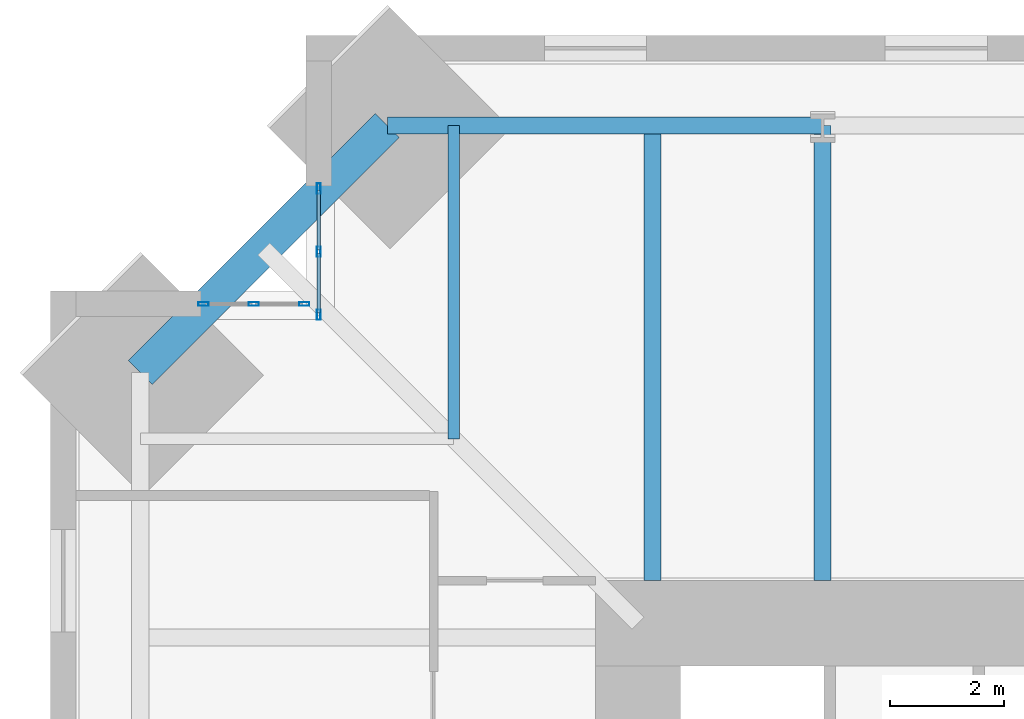
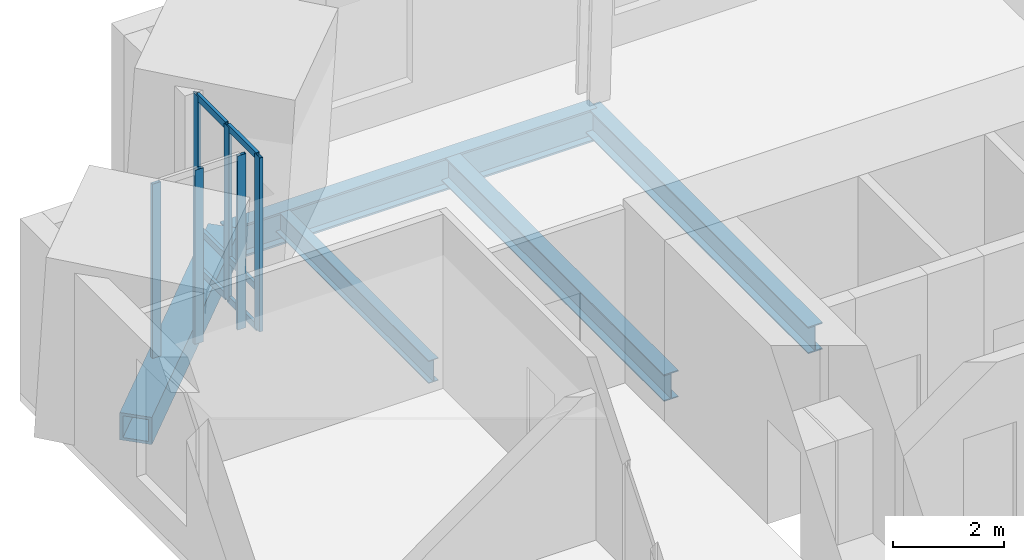
# One storey, part 6 of 16: 12 members, 5 beams, 2 elements without a shape of their own.
"""IFC4 building model written with IfcOpenShell, lengths in metres."""

from ifc_helpers import new_model, si_unit, direction, frame, origin, origin_2d, place, context, subcontext, project, spatial, hollow_rectangle, i_section, extrude, material, material_profile, profile_set, type_object, element, aggregate, save


model = new_model("IFC4")

# Units and contexts
model_context = context("Model", 3, precision=1e-05, world=origin(), true_north=direction((0.0, 1.0)))
body_context = subcontext(model_context, "Body", "Model", "MODEL_VIEW")
ifc_project = project(units=[si_unit("LENGTHUNIT", "METRE"), si_unit("AREAUNIT", "SQUARE_METRE"), si_unit("VOLUMEUNIT", "CUBIC_METRE"), si_unit("PLANEANGLEUNIT", "RADIAN"), si_unit("MASSUNIT", "GRAM", prefix="KILO")], contexts=[model_context])

# Site, building, storey
site_placement = place(None, origin())
site = spatial("IfcSite", under=ifc_project, at=site_placement, CompositionType="ELEMENT")
building_placement = place(site_placement, origin())
building = spatial("IfcBuilding", under=site, at=building_placement, Name="Peilmerk Tower", CompositionType="ELEMENT")
storey_placement = place(building_placement, frame((0.0, 0.0, 269.800048828125)))
storey = spatial("IfcBuildingStorey", under=building, at=storey_placement, Name="L60", CompositionType="ELEMENT", Elevation=269.800048828125)

# Beams
ifc_material_1 = material(Name="Steel S460", Category="steel")
ifc_material_profile_1 = material_profile(ifc_material_1, hollow_rectangle(XDim=0.60009765625, YDim=0.60009765625, WallThickness=0.06005859375, at=origin_2d()), Name="BOX 600x600x60")
ifc_profile_set_1 = profile_set([ifc_material_profile_1], Name="Steel S460")
beam_type_1 = type_object("IfcBeamType", Name="B20 BOX 600x600x60 notch beam", PredefinedType="SPANDREL", material=ifc_profile_set_1)
beam_1_placement = place(storey_placement, frame((-20.017822265625, 15.667724609375, -0.469970703125), z_axis=(0.707106781187, 0.707106781187, 0.0), x_axis=(-0.707106781187, 0.707106781187, 0.0)))
element("IfcBeam", 1, at=beam_1_placement, inside=storey, type_object=beam_type_1, Name="Notch beam L60", PredefinedType="SPANDREL", context=body_context, shape_type="SweptSolid", body=[
    extrude(hollow_rectangle(XDim=0.60009765625, YDim=0.60009765625, WallThickness=0.06005859375, at=origin_2d()), origin(), (0.0, 0.0, 1.0), 6.15185546875),
])
ifc_material_2 = material(Name="Steel S355", Category="steel")
ifc_material_profile_2 = material_profile(ifc_material_2, i_section(OverallWidth=0.300048828125, OverallDepth=0.590087890625, WebThickness=0.012939453125, FlangeThickness=0.02490234375, at=origin_2d()), Name="HEA 600")
ifc_profile_set_2 = profile_set([ifc_material_profile_2], Name="Steel S355")
beam_type_2 = type_object("IfcBeamType", Name="B27 HEA 600 floor beam", PredefinedType="BEAM", material=ifc_profile_set_2)
for number, where, z_axis, x_axis, name in (
    (2, (-8.0, 12.0, -0.465087890625), (0.0, 1.0, 0.0), (-1.0, 0.0, 0.0), "Floor beam L60"),
    (3, (-11.0, 12.0, -0.465087890625), (0.0, 1.0, 0.0), (-1.0, 0.0, 0.0), "Floor beam L60"),
):
    element("IfcBeam", number, at=place(storey_placement, frame(where, z_axis=z_axis, x_axis=x_axis)), inside=storey, type_object=beam_type_2, Name=name, PredefinedType="BEAM", context=body_context, shape_type="SweptSolid", body=[
        extrude(i_section(OverallWidth=0.300048828125, OverallDepth=0.590087890625, WebThickness=0.012939453125, FlangeThickness=0.02490234375, at=origin_2d()), origin(), (0.0, 0.0, 1.0), 8.017822265625),
    ])
ifc_material_profile_3 = material_profile(ifc_material_2, i_section(OverallWidth=0.303955078125, OverallDepth=0.716064453125, WebThickness=0.02099609375, FlangeThickness=0.0400390625, at=origin_2d()), Name="HEM 700")
ifc_profile_set_3 = profile_set([ifc_material_profile_3], Name="Steel S355")
beam_type_3 = type_object("IfcBeamType", Name="B30 HEM 700 edge beam", PredefinedType="SPANDREL", material=ifc_profile_set_3)
beam_2_placement = place(storey_placement, frame((-8.0, 20.017822265625, -0.528076171875), z_axis=(-1.0, 0.0, 0.0), x_axis=(0.0, -1.0, 0.0)))
element("IfcBeam", 4, at=beam_2_placement, inside=storey, type_object=beam_type_3, Name="Edge beam L60", PredefinedType="SPANDREL", context=body_context, shape_type="SweptSolid", body=[
    extrude(i_section(OverallWidth=0.303955078125, OverallDepth=0.716064453125, WebThickness=0.02099609375, FlangeThickness=0.0400390625, at=origin_2d()), origin(), (0.0, 0.0, 1.0), 7.667724609375),
])
ifc_material_profile_4 = material_profile(ifc_material_2, i_section(OverallWidth=0.199951171875, OverallDepth=0.5, WebThickness=0.01025390625, FlangeThickness=0.01611328125, at=origin_2d()), Name="IPE 500")
ifc_profile_set_4 = profile_set([ifc_material_profile_4], Name="Steel S355")
beam_type_4 = type_object("IfcBeamType", Name="B32 IPE 500 floor beam", PredefinedType="BEAM", material=ifc_profile_set_4)
beam_3_placement = place(storey_placement, frame((-14.5, 14.5, -0.420166015625), z_axis=(0.0, 1.0, 0.0), x_axis=(-1.0, 0.0, 0.0)))
element("IfcBeam", 5, at=beam_3_placement, inside=storey, type_object=beam_type_4, Name="Floor beam L60", PredefinedType="BEAM", context=body_context, shape_type="SweptSolid", body=[
    extrude(i_section(OverallWidth=0.199951171875, OverallDepth=0.5, WebThickness=0.01025390625, FlangeThickness=0.01611328125, at=origin_2d()), origin(), (0.0, 0.0, 1.0), 5.517822265625),
])

# Curtain wall, members
ifc_material_3 = material(Name="Aluminium stick curtain wall", Category="aluminium")
curtain_wall_type = type_object("IfcCurtainWallType", Name="CW4 stick curtain wall, 2250 module", PredefinedType="NOTDEFINED", material=ifc_material_3)
curtain_wall_1_placement = place(storey_placement, origin())
curtain_wall_1 = element("IfcCurtainWall", 6, at=curtain_wall_1_placement, inside=storey, type_object=curtain_wall_type, Name="Curtain wall CW4 NWA L60", PredefinedType="NOTDEFINED")
ifc_material_4 = material(Name="Aluminium EN AW-6063 T6", Category="aluminium")
ifc_material_profile_5 = material_profile(ifc_material_4, hollow_rectangle(XDim=0.06494140625, YDim=0.179931640625, WallThickness=0.0029296875, at=origin_2d()), Name="AL 180x65x3")
ifc_profile_set_5 = profile_set([ifc_material_profile_5], Name="Aluminium EN AW-6063 T6")
member_type_1 = type_object("IfcMemberType", Name="CW4-M AL 180x65x3 mullion", PredefinedType="MULLION", material=ifc_profile_set_5)
member_1_placement = place(storey_placement, frame((-16.875, 16.6826171875, 0.0), z_axis=(0.0, 0.0, 1.0), x_axis=(-1.0, 0.0, 0.0)))
member_1 = element("IfcMember", 7, at=member_1_placement, type_object=member_type_1, Name="CW4 mullion 1", PredefinedType="MULLION", context=body_context, shape_type="SweptSolid", body=[
    extrude(hollow_rectangle(XDim=0.06494140625, YDim=0.179931640625, WallThickness=0.0029296875, at=origin_2d()), origin(), (0.0, 0.0, 1.0), 3.829833984375),
])
member_2_placement = place(storey_placement, frame((-16.875, 17.79443359375, 0.0), z_axis=(0.0, 0.0, 1.0), x_axis=(-1.0, 0.0, 0.0)))
member_2 = element("IfcMember", 8, at=member_2_placement, type_object=member_type_1, Name="CW4 mullion 2", PredefinedType="MULLION", context=body_context, shape_type="SweptSolid", body=[
    extrude(hollow_rectangle(XDim=0.06494140625, YDim=0.179931640625, WallThickness=0.0029296875, at=origin_2d()), origin(), (0.0, 0.0, 1.0), 3.829833984375),
])
member_3_placement = place(storey_placement, frame((-16.875, 18.90625, 0.0), z_axis=(0.0, 0.0, 1.0), x_axis=(-1.0, 0.0, 0.0)))
member_3 = element("IfcMember", 9, at=member_3_placement, type_object=member_type_1, Name="CW4 mullion 3", PredefinedType="MULLION", context=body_context, shape_type="SweptSolid", body=[
    extrude(hollow_rectangle(XDim=0.06494140625, YDim=0.179931640625, WallThickness=0.0029296875, at=origin_2d()), origin(), (0.0, 0.0, 1.0), 3.829833984375),
])

curtain_wall_2_placement = place(storey_placement, origin())
curtain_wall_2 = element("IfcCurtainWall", 10, at=curtain_wall_2_placement, inside=storey, type_object=curtain_wall_type, Name="Curtain wall CW4 NWB L60", PredefinedType="NOTDEFINED")
member_4_placement = place(storey_placement, frame((-17.132568359375, 16.875, 0.0), z_axis=(0.0, 0.0, 1.0), x_axis=(0.0, -1.0, 0.0)))
member_4 = element("IfcMember", 11, at=member_4_placement, type_object=member_type_1, Name="CW4 mullion 1", PredefinedType="MULLION", context=body_context, shape_type="SweptSolid", body=[
    extrude(hollow_rectangle(XDim=0.06494140625, YDim=0.179931640625, WallThickness=0.0029296875, at=origin_2d()), origin(), (0.0, 0.0, 1.0), 3.829833984375),
])
member_5_placement = place(storey_placement, frame((-18.019287109375, 16.875, 0.0), z_axis=(0.0, 0.0, 1.0), x_axis=(0.0, -1.0, 0.0)))
member_5 = element("IfcMember", 12, at=member_5_placement, type_object=member_type_1, Name="CW4 mullion 2", PredefinedType="MULLION", context=body_context, shape_type="SweptSolid", body=[
    extrude(hollow_rectangle(XDim=0.06494140625, YDim=0.179931640625, WallThickness=0.0029296875, at=origin_2d()), origin(), (0.0, 0.0, 1.0), 3.829833984375),
])
member_6_placement = place(storey_placement, frame((-18.90625, 16.875, 0.0), z_axis=(0.0, 0.0, 1.0), x_axis=(0.0, -1.0, 0.0)))
member_6 = element("IfcMember", 13, at=member_6_placement, type_object=member_type_1, Name="CW4 mullion 3", PredefinedType="MULLION", context=body_context, shape_type="SweptSolid", body=[
    extrude(hollow_rectangle(XDim=0.06494140625, YDim=0.179931640625, WallThickness=0.0029296875, at=origin_2d()), origin(), (0.0, 0.0, 1.0), 3.829833984375),
])
aggregate(curtain_wall_2, [member_4, member_5, member_6])

# Member
ifc_material_profile_6 = material_profile(ifc_material_4, hollow_rectangle(XDim=0.06494140625, YDim=0.14990234375, WallThickness=0.0029296875, at=origin_2d()), Name="AL 150x65x3")
ifc_profile_set_6 = profile_set([ifc_material_profile_6], Name="Aluminium EN AW-6063 T6")
member_type_2 = type_object("IfcMemberType", Name="CW4-T AL 150x65x3 transom", PredefinedType="USERDEFINED", material=ifc_profile_set_6)
member_7_placement = place(storey_placement, frame((-16.875, 16.715087890625, 0.032470703125), z_axis=(0.0, 1.0, 0.0), x_axis=(-1.0, 0.0, 0.0)))
member_7 = element("IfcMember", 14, at=member_7_placement, type_object=member_type_2, Name="CW4 transom 1.1", ObjectType="TRANSOM", PredefinedType="USERDEFINED", context=body_context, shape_type="SweptSolid", body=[
    extrude(hollow_rectangle(XDim=0.06494140625, YDim=0.14990234375, WallThickness=0.0029296875, at=origin_2d()), origin(), (0.0, 0.0, 1.0), 1.046630859375),
])

member_8_placement = place(storey_placement, frame((-16.875, 16.715087890625, 0.89990234375), z_axis=(0.0, 1.0, 0.0), x_axis=(-1.0, 0.0, 0.0)))
member_8 = element("IfcMember", 15, at=member_8_placement, type_object=member_type_2, Name="CW4 transom 1.2", ObjectType="TRANSOM", PredefinedType="USERDEFINED", context=body_context, shape_type="SweptSolid", body=[
    extrude(hollow_rectangle(XDim=0.06494140625, YDim=0.14990234375, WallThickness=0.0029296875, at=origin_2d()), origin(), (0.0, 0.0, 1.0), 1.046630859375),
])

member_9_placement = place(storey_placement, frame((-16.875, 16.715087890625, 3.79736328125), z_axis=(0.0, 1.0, 0.0), x_axis=(-1.0, 0.0, 0.0)))
member_9 = element("IfcMember", 16, at=member_9_placement, type_object=member_type_2, Name="CW4 transom 1.3", ObjectType="TRANSOM", PredefinedType="USERDEFINED", context=body_context, shape_type="SweptSolid", body=[
    extrude(hollow_rectangle(XDim=0.06494140625, YDim=0.14990234375, WallThickness=0.0029296875, at=origin_2d()), origin(), (0.0, 0.0, 1.0), 1.046630859375),
])

member_10_placement = place(storey_placement, frame((-16.875, 17.826904296875, 0.032470703125), z_axis=(0.0, 1.0, 0.0), x_axis=(-1.0, 0.0, 0.0)))
member_10 = element("IfcMember", 17, at=member_10_placement, type_object=member_type_2, Name="CW4 transom 2.1", ObjectType="TRANSOM", PredefinedType="USERDEFINED", context=body_context, shape_type="SweptSolid", body=[
    extrude(hollow_rectangle(XDim=0.06494140625, YDim=0.14990234375, WallThickness=0.0029296875, at=origin_2d()), origin(), (0.0, 0.0, 1.0), 1.046875),
])

member_11_placement = place(storey_placement, frame((-16.875, 17.826904296875, 0.89990234375), z_axis=(0.0, 1.0, 0.0), x_axis=(-1.0, 0.0, 0.0)))
member_11 = element("IfcMember", 18, at=member_11_placement, type_object=member_type_2, Name="CW4 transom 2.2", ObjectType="TRANSOM", PredefinedType="USERDEFINED", context=body_context, shape_type="SweptSolid", body=[
    extrude(hollow_rectangle(XDim=0.06494140625, YDim=0.14990234375, WallThickness=0.0029296875, at=origin_2d()), origin(), (0.0, 0.0, 1.0), 1.046875),
])

member_12_placement = place(storey_placement, frame((-16.875, 17.826904296875, 3.79736328125), z_axis=(0.0, 1.0, 0.0), x_axis=(-1.0, 0.0, 0.0)))
member_12 = element("IfcMember", 19, at=member_12_placement, type_object=member_type_2, Name="CW4 transom 2.3", ObjectType="TRANSOM", PredefinedType="USERDEFINED", context=body_context, shape_type="SweptSolid", body=[
    extrude(hollow_rectangle(XDim=0.06494140625, YDim=0.14990234375, WallThickness=0.0029296875, at=origin_2d()), origin(), (0.0, 0.0, 1.0), 1.046875),
])

aggregate(curtain_wall_1, [member_1, member_2, member_3, member_7, member_8, member_9, member_10, member_11, member_12])

save(model, "model.ifc")
